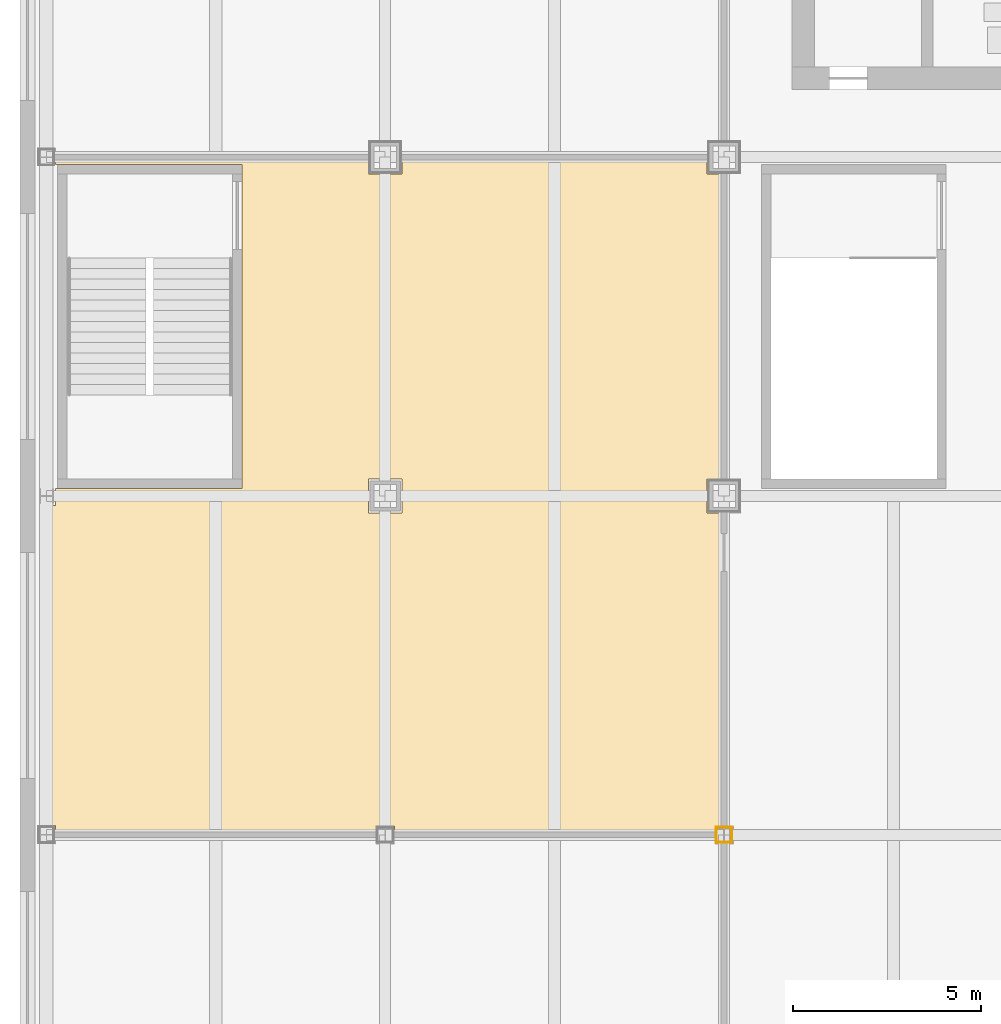
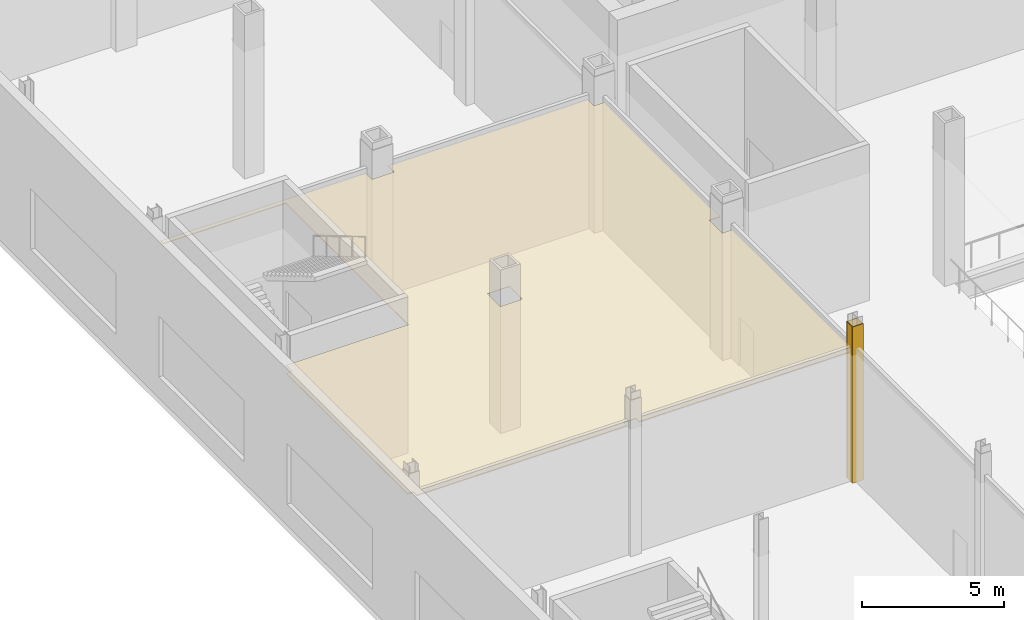
# One storey, part 19 of 32: 5 coverings.
"""IFC4 building model written with IfcOpenShell, lengths in metres."""

from ifc_helpers import new_model, si_unit, direction, frame, origin, origin_2d, place, context, subcontext, project, spatial, polyline, rectangle, outline, extrude, material, layer, layer_set, type_object, element, save


model = new_model("IFC4")

# Units and contexts
model_context = context("Model", 3, precision=1e-05, world=origin(), true_north=direction((0.0, 1.0)))
body_context = subcontext(model_context, "Body", "Model", "MODEL_VIEW")
ifc_project = project(units=[si_unit("LENGTHUNIT", "METRE"), si_unit("AREAUNIT", "SQUARE_METRE"), si_unit("VOLUMEUNIT", "CUBIC_METRE"), si_unit("PLANEANGLEUNIT", "RADIAN"), si_unit("MASSUNIT", "GRAM", prefix="KILO")], contexts=[model_context])

# Site, building, storey
site_placement = place(None, origin())
site = spatial("IfcSite", under=ifc_project, at=site_placement, CompositionType="ELEMENT")
building_placement = place(site_placement, origin())
building = spatial("IfcBuilding", under=site, at=building_placement, Name="Loomwork Tower", CompositionType="ELEMENT")
storey_placement = place(building_placement, frame((0.0, 0.0, 16.0)))
storey = spatial("IfcBuildingStorey", under=building, at=storey_placement, Name="L03", CompositionType="ELEMENT", Elevation=16.0)

# Coverings
ifc_material_1 = material(Name="Two-hour fire-rated gypsum board casing")
ifc_layer_1 = layer(ifc_material_1, 0.02490234375)
ifc_layer_set_1 = layer_set([ifc_layer_1], Name="Column fire casing 25")
covering_type_1 = type_object("IfcCoveringType", Name="Column fire casing 25", PredefinedType="CLADDING", material=ifc_layer_set_1)
for number, where, z_axis, x_axis, name in (
    (1, (9.0, -8.799560546875, 0.0), (0.0, 0.0, 1.0), (1.0, 0.0, 0.0), "Column casing 9 -9 L03"),
    (2, (9.0, -9.200439453125, 0.0), (0.0, 0.0, 1.0), (1.0, 0.0, 0.0), "Column casing 9 -9 L03"),
):
    element("IfcCovering", number, at=place(storey_placement, frame(where, z_axis=z_axis, x_axis=x_axis)), inside=storey, type_object=covering_type_1, Name=name, PredefinedType="CLADDING", context=body_context, shape_type="SweptSolid", body=[
        extrude(rectangle(XDim=0.443603515625, YDim=0.02490234375, at=origin_2d()), origin(), (0.0, 0.0, 1.0), 6.699951171875),
    ])
for number, where, z_axis, x_axis, name in (
    (3, (9.209228515625, -9.0, 0.0), (0.0, 0.0, 1.0), (1.0, 0.0, 0.0), "Column casing 9 -9 L03"),
    (4, (8.790771484375, -9.0, 0.0), (0.0, 0.0, 1.0), (1.0, 0.0, 0.0), "Column casing 9 -9 L03"),
):
    element("IfcCovering", number, at=place(storey_placement, frame(where, z_axis=z_axis, x_axis=x_axis)), inside=storey, type_object=covering_type_1, Name=name, PredefinedType="CLADDING", context=body_context, shape_type="SweptSolid", body=[
        extrude(rectangle(XDim=0.02490234375, YDim=0.3759765625, at=origin_2d()), origin(), (0.0, 0.0, 1.0), 6.699951171875),
    ])
ifc_material_2 = material(Name="Mineral fibre acoustic tile on suspension grid")
ifc_layer_2 = layer(ifc_material_2, 0.02490234375)
ifc_layer_set_2 = layer_set([ifc_layer_2], Name="Suspended acoustic ceiling")
covering_type_2 = type_object("IfcCoveringType", Name="Suspended acoustic ceiling", PredefinedType="CEILING", material=ifc_layer_set_2)
covering_placement = place(storey_placement, frame((0.0, 0.0, 5.47509765625)))
element("IfcCovering", 5, at=covering_placement, inside=storey, type_object=covering_type_2, Name="Ceiling Meeting room 302 L03", PredefinedType="CEILING", context=body_context, shape_type="SweptSolid", body=[
    extrude(outline(polyline([(-3.800048828125, 0.199951171875), (-3.800048828125, 8.800048828125), (-8.761962890625, 8.800048828125), (-8.761962890625, 9.0), (-0.449951171875, 9.0), (-0.449951171875, 8.550048828125), (0.449951171875, 8.550048828125), (0.449951171875, 9.0), (8.550048828125, 9.0), (8.550048828125, 8.550048828125), (9.0, 8.550048828125), (9.0, 0.449951171875), (8.550048828125, 0.449951171875), (8.550048828125, -0.449951171875), (9.0, -0.449951171875), (9.0, -8.761962890625), (8.753173828125, -8.761962890625), (8.753173828125, -9.0), (0.246826171875, -9.0), (0.246826171875, -8.761962890625), (-0.246826171875, -8.761962890625), (-0.246826171875, -9.0), (-8.761962890625, -9.0), (-8.761962890625, -8.753173828125), (-9.0, -8.753173828125), (-9.0, -0.246826171875), (-8.761962890625, -0.246826171875), (-8.761962890625, 0.199951171875), (-3.800048828125, 0.199951171875)]), holes=[polyline([(-0.449951171875, 0.449951171875), (-0.449951171875, -0.449951171875), (0.449951171875, -0.449951171875), (0.449951171875, 0.449951171875), (-0.449951171875, 0.449951171875)])]), origin(), (0.0, 0.0, 1.0), 0.02490234375),
])

save(model, "model.ifc")
